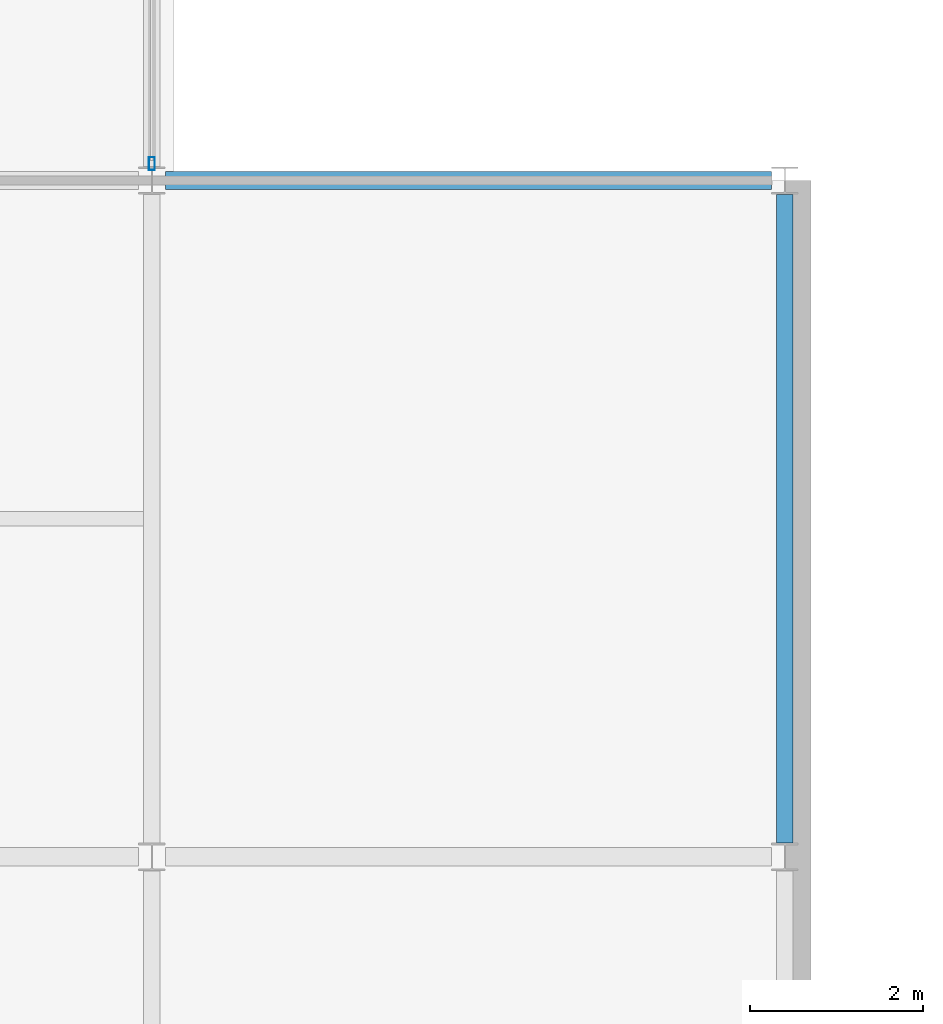
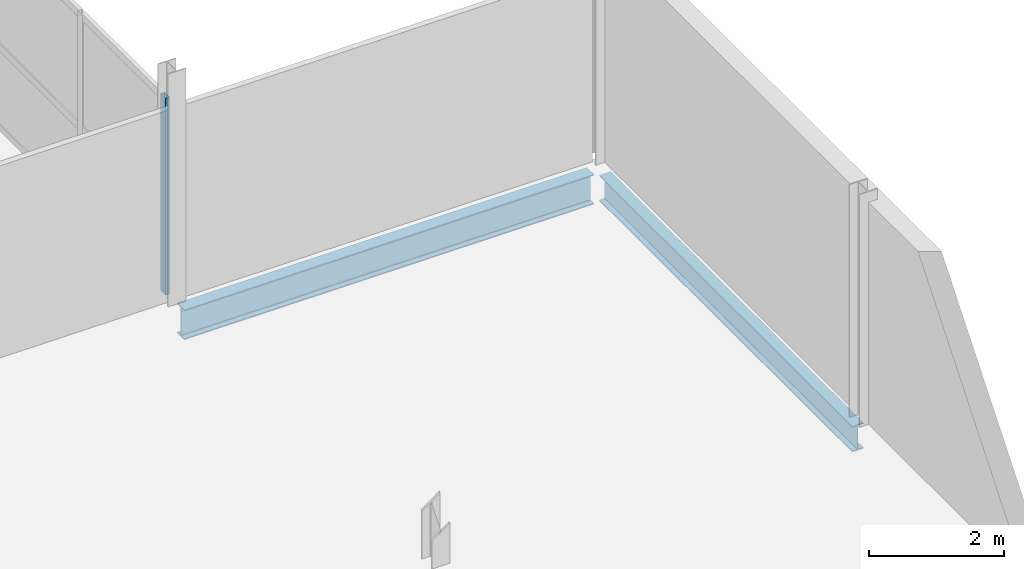
# One storey, part 7 of 60: 2 beams, 1 member, 1 element without a shape of its own.
"""IFC4 building model written with IfcOpenShell, lengths in metres."""

from ifc_helpers import new_model, si_unit, direction, frame, origin, origin_2d, place, context, subcontext, project, spatial, hollow_rectangle, i_section, extrude, material, layer, layer_set, material_profile, profile_set, type_object, element, aggregate, save


model = new_model("IFC4")

# Units and contexts
model_context = context("Model", 3, precision=1e-05, world=origin(), true_north=direction((0.0, 1.0)))
body_context = subcontext(model_context, "Body", "Model", "MODEL_VIEW")
ifc_project = project(units=[si_unit("LENGTHUNIT", "METRE"), si_unit("AREAUNIT", "SQUARE_METRE"), si_unit("VOLUMEUNIT", "CUBIC_METRE"), si_unit("PLANEANGLEUNIT", "RADIAN"), si_unit("MASSUNIT", "GRAM", prefix="KILO")], contexts=[model_context])

# Site, building, storey
site_placement = place(None, origin())
site = spatial("IfcSite", under=ifc_project, at=site_placement, CompositionType="ELEMENT")
building_placement = place(site_placement, origin())
building = spatial("IfcBuilding", under=site, at=building_placement, Name="Quillay Park Conservatory", CompositionType="ELEMENT")
storey_placement = place(building_placement, frame((0.0, 0.0, 9.89990234375)))
storey = spatial("IfcBuildingStorey", under=building, at=storey_placement, Name="L02", CompositionType="ELEMENT", Elevation=9.89990234375)

# Curtain wall, member
ifc_material_1 = material(Name="Thermally Broken Anodised Aluminium 6063-T6", Category="aluminium")
ifc_layer = layer(ifc_material_1, 0.1650390625)
ifc_layer_set = layer_set([ifc_layer], Name="UNITISED CURTAIN WALL PODIUM (Thermally Broken Anodised Aluminium 6063-T6)")
curtain_wall_type = type_object("IfcCurtainWallType", Name="UNITISED CURTAIN WALL PODIUM", PredefinedType="USERDEFINED", material=ifc_layer_set)
curtain_wall_placement = place(storey_placement, origin())
curtain_wall = element("IfcCurtainWall", 1, at=curtain_wall_placement, inside=storey, type_object=curtain_wall_type, Name="L02 Unitised Curtain Wall 205", ObjectType="UNITISED CURTAIN WALL", PredefinedType="USERDEFINED")
ifc_material_2 = material(Name="Thermally Broken Anodised Aluminium 6063-T6", Category="aluminium")
ifc_material_profile_1 = material_profile(ifc_material_2, hollow_rectangle(XDim=0.070068359375, YDim=0.14990234375, WallThickness=0.00341796875, at=origin_2d()), Name="AL70x150x3.5")
ifc_profile_set_1 = profile_set([ifc_material_profile_1], Name="Thermally Broken Anodised Aluminium 6063-T6")
member_type = type_object("IfcMemberType", Name="CURTAIN WALL MULLION 70 X150", PredefinedType="MULLION", material=ifc_profile_set_1)
member_placement = place(storey_placement, frame((22.14990234375, 15.794921875, 0.0), z_axis=(0.0, 0.0, 1.0), x_axis=(1.0, 0.0, 0.0)))
member = element("IfcMember", 2, at=member_placement, type_object=member_type, Name="CW-P1 mullion 4", PredefinedType="MULLION", context=body_context, shape_type="SweptSolid", body=[
    extrude(hollow_rectangle(XDim=0.070068359375, YDim=0.14990234375, WallThickness=0.00341796875, at=origin_2d()), origin(), (0.0, 0.0, 1.0), 3.55419921875),
])
aggregate(curtain_wall, [member])

# Beams
ifc_material_3 = material(Name="Steel ASTM A992 Grade 50", Category="steel")
ifc_material_profile_2 = material_profile(ifc_material_3, i_section(OverallWidth=0.19189453125, OverallDepth=0.462890625, WebThickness=0.010498046875, FlangeThickness=0.017578125, FilletRadius=0.012939453125, at=origin_2d()), Name="W460x89")
ifc_profile_set_2 = profile_set([ifc_material_profile_2], Name="Steel ASTM A992 Grade 50")
beam_type_1 = type_object("IfcBeamType", Name="PRIMARY FLOOR GIRDER W460 X89", PredefinedType="BEAM", material=ifc_profile_set_2)
beam_1_placement = place(storey_placement, frame((29.449951171875, 7.96142578125, -0.426513671875), z_axis=(0.0, 1.0, 0.0), x_axis=(-1.0, 0.0, 0.0)))
element("IfcBeam", 3, at=beam_1_placement, inside=storey, type_object=beam_type_1, Name="L02 beam BM-V3Y-1379", PredefinedType="BEAM", context=body_context, shape_type="SweptSolid", body=[
    extrude(i_section(OverallWidth=0.19189453125, OverallDepth=0.462890625, WebThickness=0.010498046875, FlangeThickness=0.017578125, FilletRadius=0.012939453125, at=origin_2d()), origin(), (0.0, 0.0, 1.0), 7.47705078125),
])
ifc_material_4 = material(Name="Steel ASTM A992 Grade 50", Category="steel")
ifc_material_profile_3 = material_profile(ifc_material_4, i_section(OverallWidth=0.2109375, OverallDepth=0.5390625, WebThickness=0.01171875, FlangeThickness=0.018798828125, FilletRadius=0.013916015625, at=origin_2d()), Name="W530x109")
ifc_profile_set_3 = profile_set([ifc_material_profile_3], Name="Steel ASTM A992 Grade 50")
beam_type_2 = type_object("IfcBeamType", Name="PRIMARY FLOOR GIRDER W530 X109", PredefinedType="BEAM", material=ifc_profile_set_3)
beam_2_placement = place(storey_placement, frame((22.304443359375, 15.60009765625, -0.46435546875), z_axis=(1.0, 0.0, 0.0), x_axis=(0.0, 1.0, 0.0)))
element("IfcBeam", 4, at=beam_2_placement, inside=storey, type_object=beam_type_2, Name="L02 beam BM-V3X-1336", PredefinedType="BEAM", context=body_context, shape_type="SweptSolid", body=[
    extrude(i_section(OverallWidth=0.2109375, OverallDepth=0.5390625, WebThickness=0.01171875, FlangeThickness=0.018798828125, FilletRadius=0.013916015625, at=origin_2d()), origin(), (0.0, 0.0, 1.0), 6.990966796875),
])

save(model, "model.ifc")
